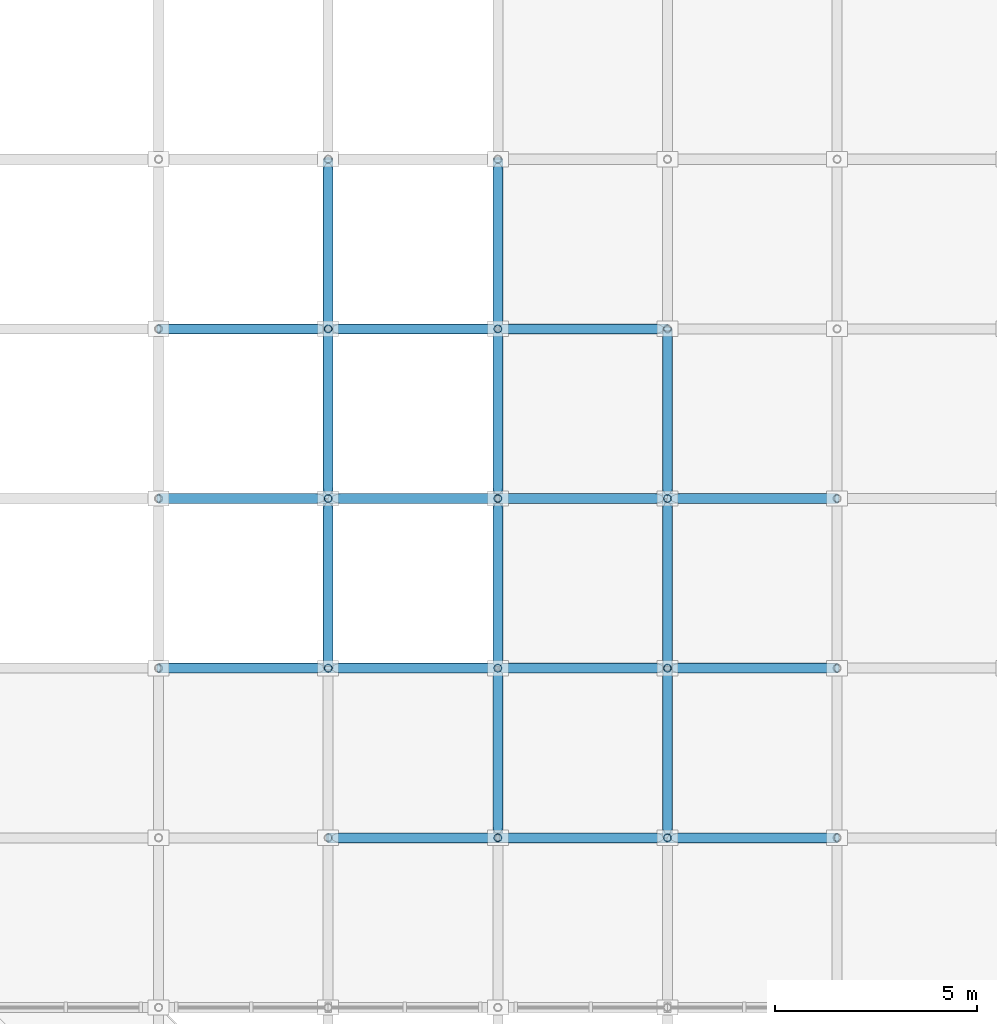
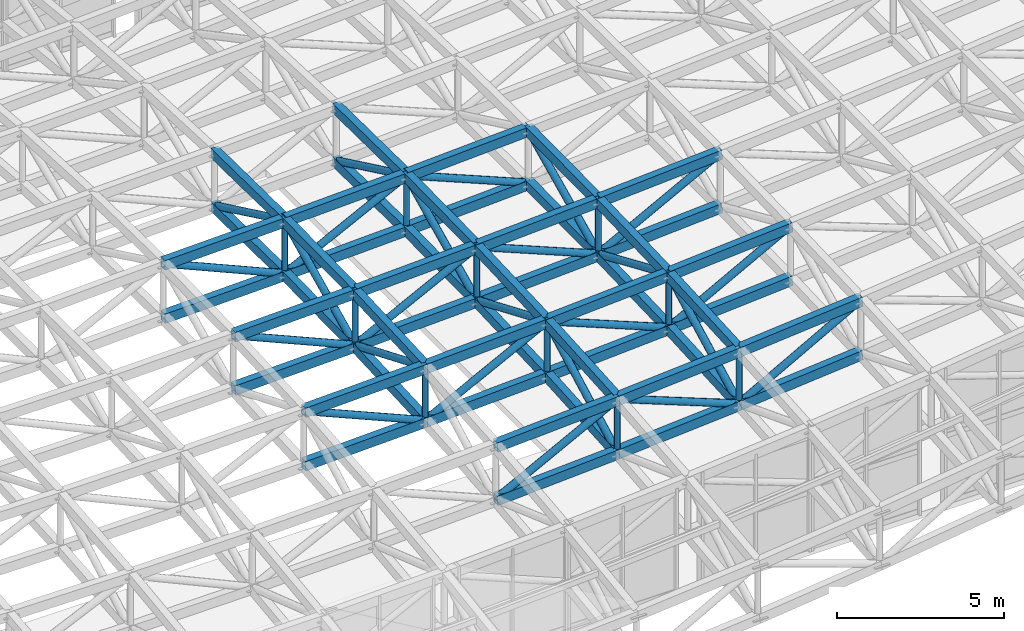
# One storey, part 44 of 111: 82 members.
"""IFC4 building model written with IfcOpenShell, lengths in metres."""

from ifc_helpers import new_model, si_unit, direction, frame, origin, origin_2d, place, context, subcontext, project, spatial, hollow_rectangle, hollow_circle, extrude, material, material_profile, profile_set, type_object, element, save


model = new_model("IFC4")

# Units and contexts
model_context = context("Model", 3, precision=1e-05, world=origin(), true_north=direction((0.0, 1.0)))
body_context = subcontext(model_context, "Body", "Model", "MODEL_VIEW")
ifc_project = project(units=[si_unit("LENGTHUNIT", "METRE"), si_unit("AREAUNIT", "SQUARE_METRE"), si_unit("VOLUMEUNIT", "CUBIC_METRE"), si_unit("PLANEANGLEUNIT", "RADIAN"), si_unit("MASSUNIT", "GRAM", prefix="KILO")], contexts=[model_context])

# Site, building, storey
site_placement = place(None, origin())
site = spatial("IfcSite", under=ifc_project, at=site_placement, CompositionType="ELEMENT")
building_placement = place(site_placement, origin())
building = spatial("IfcBuilding", under=site, at=building_placement, Name="Cumbredor Promenade Congress Hotel", CompositionType="ELEMENT")
storey_placement = place(building_placement, frame((0.0, 0.0, 15.1201171875)))
storey = spatial("IfcBuildingStorey", under=building, at=storey_placement, Name="L04", CompositionType="ELEMENT", Elevation=15.1201171875)

# Members
ifc_material = material(Name="Steel ASTM A500 Grade C", Category="steel")
ifc_material_profile_1 = material_profile(ifc_material, hollow_rectangle(XDim=0.25, YDim=0.35009765625, WallThickness=0.01611328125, at=origin_2d()), Name="HSS 350x250x16")
ifc_profile_set_1 = profile_set([ifc_material_profile_1], Name="Steel ASTM A500 Grade C")
member_type_1 = type_object("IfcMemberType", Name="Forum Roof Truss Chord", PredefinedType="CHORD", material=ifc_profile_set_1)
for number, where, z_axis, x_axis, name in (
    (1, (147.0, 88.199951171875, 4.16552734375), (0.998414117425, 0.0, 0.05629609335), (0.0, 1.0, 0.0), "Pre-Function and Breakout Meeting Forum X Top Chord 15.3"),
    (2, (147.0, 88.199951171875, 2.215576171875), (0.998414117425, 0.0, 0.05629609335), (0.0, 1.0, 0.0), "Pre-Function and Breakout Meeting Forum X Bottom Chord 15.3"),
):
    element("IfcMember", number, at=place(storey_placement, frame(where, z_axis=z_axis, x_axis=x_axis)), inside=storey, type_object=member_type_1, Name=name, PredefinedType="CHORD", context=body_context, shape_type="SweptSolid", body=[
        extrude(hollow_rectangle(XDim=0.25, YDim=0.35009765625, WallThickness=0.01611328125, at=origin_2d()), origin(), (0.0, 0.0, 1.0), 4.20654296875),
    ])
for number, where, z_axis, x_axis, name in (
    (3, (151.199951171875, 88.199951171875, 4.40234375), (0.997383099758, 0.0, 0.072297664675), (0.0, 1.0, 0.0), "Pre-Function and Breakout Meeting Forum X Top Chord 16.3"),
    (4, (151.199951171875, 88.199951171875, 2.452392578125), (0.997383099758, 0.0, 0.072297664675), (0.0, 1.0, 0.0), "Pre-Function and Breakout Meeting Forum X Bottom Chord 16.3"),
):
    element("IfcMember", number, at=place(storey_placement, frame(where, z_axis=z_axis, x_axis=x_axis)), inside=storey, type_object=member_type_1, Name=name, PredefinedType="CHORD", context=body_context, shape_type="SweptSolid", body=[
        extrude(hollow_rectangle(XDim=0.25, YDim=0.35009765625, WallThickness=0.01611328125, at=origin_2d()), origin(), (0.0, 0.0, 1.0), 4.2109375),
    ])
for number, where, z_axis, x_axis, name in (
    (5, (155.39990234375, 88.199951171875, 4.706787109375), (0.996094283967, 0.0, 0.088295965069), (0.0, 1.0, 0.0), "Pre-Function and Breakout Meeting Forum X Top Chord 17.3"),
    (6, (155.39990234375, 88.199951171875, 2.7568359375), (0.996099374617, 0.0, 0.088238517026), (0.0, 1.0, 0.0), "Pre-Function and Breakout Meeting Forum X Bottom Chord 17.3"),
):
    element("IfcMember", number, at=place(storey_placement, frame(where, z_axis=z_axis, x_axis=x_axis)), inside=storey, type_object=member_type_1, Name=name, PredefinedType="CHORD", context=body_context, shape_type="SweptSolid", body=[
        extrude(hollow_rectangle(XDim=0.25, YDim=0.35009765625, WallThickness=0.01611328125, at=origin_2d()), origin(), (0.0, 0.0, 1.0), 4.216552734375),
    ])
for number, where, z_axis, x_axis, name in (
    (7, (142.800048828125, 92.39990234375, 4.353271484375), (0.999447676196, 0.0, 0.033231649758), (0.0, 1.0, 0.0), "Pre-Function and Breakout Meeting Forum X Top Chord 14.4"),
    (8, (142.800048828125, 92.39990234375, 2.4033203125), (0.999447676196, 0.0, 0.033231649758), (0.0, 1.0, 0.0), "Pre-Function and Breakout Meeting Forum X Bottom Chord 14.4"),
):
    element("IfcMember", number, at=place(storey_placement, frame(where, z_axis=z_axis, x_axis=x_axis)), inside=storey, type_object=member_type_1, Name=name, PredefinedType="CHORD", context=body_context, shape_type="SweptSolid", body=[
        extrude(hollow_rectangle(XDim=0.25, YDim=0.35009765625, WallThickness=0.01611328125, at=origin_2d()), origin(), (0.0, 0.0, 1.0), 4.202392578125),
    ])
for number, where, z_axis, x_axis, name in (
    (9, (147.0, 92.39990234375, 4.492919921875), (0.998923154887, 0.0, 0.046395372944), (0.0, 1.0, 0.0), "Pre-Function and Breakout Meeting Forum X Top Chord 15.4"),
    (10, (147.0, 92.39990234375, 2.54296875), (0.998923154887, 0.0, 0.046395372944), (0.0, 1.0, 0.0), "Pre-Function and Breakout Meeting Forum X Bottom Chord 15.4"),
):
    element("IfcMember", number, at=place(storey_placement, frame(where, z_axis=z_axis, x_axis=x_axis)), inside=storey, type_object=member_type_1, Name=name, PredefinedType="CHORD", context=body_context, shape_type="SweptSolid", body=[
        extrude(hollow_rectangle(XDim=0.25, YDim=0.35009765625, WallThickness=0.01611328125, at=origin_2d()), origin(), (0.0, 0.0, 1.0), 4.20458984375),
    ])
for number, where, z_axis, x_axis, name in (
    (11, (151.199951171875, 92.39990234375, 4.68798828125), (0.998219316899, 0.0, 0.05965061081), (0.0, 1.0, 0.0), "Pre-Function and Breakout Meeting Forum X Top Chord 16.4"),
    (12, (151.199951171875, 92.39990234375, 2.738037109375), (0.998219316899, 0.0, 0.05965061081), (0.0, 1.0, 0.0), "Pre-Function and Breakout Meeting Forum X Bottom Chord 16.4"),
):
    element("IfcMember", number, at=place(storey_placement, frame(where, z_axis=z_axis, x_axis=x_axis)), inside=storey, type_object=member_type_1, Name=name, PredefinedType="CHORD", context=body_context, shape_type="SweptSolid", body=[
        extrude(hollow_rectangle(XDim=0.25, YDim=0.35009765625, WallThickness=0.01611328125, at=origin_2d()), origin(), (0.0, 0.0, 1.0), 4.20751953125),
    ])
for number, where, z_axis, x_axis, name in (
    (13, (155.39990234375, 92.39990234375, 4.93896484375), (0.997345647622, 0.0, 0.072812493223), (0.0, 1.0, 0.0), "Pre-Function and Breakout Meeting Forum X Top Chord 17.4"),
    (14, (155.39990234375, 92.39990234375, 2.989013671875), (0.997345647622, 0.0, 0.072812493223), (0.0, 1.0, 0.0), "Pre-Function and Breakout Meeting Forum X Bottom Chord 17.4"),
):
    element("IfcMember", number, at=place(storey_placement, frame(where, z_axis=z_axis, x_axis=x_axis)), inside=storey, type_object=member_type_1, Name=name, PredefinedType="CHORD", context=body_context, shape_type="SweptSolid", body=[
        extrude(hollow_rectangle(XDim=0.25, YDim=0.35009765625, WallThickness=0.01611328125, at=origin_2d()), origin(), (0.0, 0.0, 1.0), 4.21142578125),
    ])
for number, where, z_axis, x_axis, name in (
    (15, (142.800048828125, 96.60009765625, 4.567626953125), (0.999579574773, 0.0, 0.028994373529), (0.0, 1.0, 0.0), "Pre-Function and Breakout Meeting Forum X Top Chord 14.5"),
    (16, (142.800048828125, 96.60009765625, 2.61767578125), (0.999579574773, 0.0, 0.028994373529), (0.0, 1.0, 0.0), "Pre-Function and Breakout Meeting Forum X Bottom Chord 14.5"),
):
    element("IfcMember", number, at=place(storey_placement, frame(where, z_axis=z_axis, x_axis=x_axis)), inside=storey, type_object=member_type_1, Name=name, PredefinedType="CHORD", context=body_context, shape_type="SweptSolid", body=[
        extrude(hollow_rectangle(XDim=0.25, YDim=0.35009765625, WallThickness=0.01611328125, at=origin_2d()), origin(), (0.0, 0.0, 1.0), 4.20166015625),
    ])
for number, where, z_axis, x_axis, name in (
    (17, (147.0, 96.60009765625, 4.689453125), (0.999182576071, 0.0, 0.040424988255), (0.0, 1.0, 0.0), "Pre-Function and Breakout Meeting Forum X Top Chord 15.5"),
    (18, (147.0, 96.60009765625, 2.739501953125), (0.999182576071, 0.0, 0.040424988255), (0.0, 1.0, 0.0), "Pre-Function and Breakout Meeting Forum X Bottom Chord 15.5"),
):
    element("IfcMember", number, at=place(storey_placement, frame(where, z_axis=z_axis, x_axis=x_axis)), inside=storey, type_object=member_type_1, Name=name, PredefinedType="CHORD", context=body_context, shape_type="SweptSolid", body=[
        extrude(hollow_rectangle(XDim=0.25, YDim=0.35009765625, WallThickness=0.01611328125, at=origin_2d()), origin(), (0.0, 0.0, 1.0), 4.203369140625),
    ])
for number, where, z_axis, x_axis, name in (
    (19, (151.199951171875, 96.60009765625, 4.859375), (0.998643368037, 0.0, 0.052071330648), (0.0, 1.0, 0.0), "Pre-Function and Breakout Meeting Forum X Top Chord 16.5"),
    (20, (151.199951171875, 96.60009765625, 2.909423828125), (0.998643368037, 0.0, 0.052071330648), (0.0, 1.0, 0.0), "Pre-Function and Breakout Meeting Forum X Bottom Chord 16.5"),
):
    element("IfcMember", number, at=place(storey_placement, frame(where, z_axis=z_axis, x_axis=x_axis)), inside=storey, type_object=member_type_1, Name=name, PredefinedType="CHORD", context=body_context, shape_type="SweptSolid", body=[
        extrude(hollow_rectangle(XDim=0.25, YDim=0.35009765625, WallThickness=0.01611328125, at=origin_2d()), origin(), (0.0, 0.0, 1.0), 4.20556640625),
    ])
for number, where, z_axis, x_axis, name in (
    (21, (155.39990234375, 96.60009765625, 5.078369140625), (0.997980600233, 0.0, 0.063519458106), (0.0, 1.0, 0.0), "Pre-Function and Breakout Meeting Forum X Top Chord 17.5"),
    (22, (155.39990234375, 96.60009765625, 3.12841796875), (0.997980600233, 0.0, 0.063519458106), (0.0, 1.0, 0.0), "Pre-Function and Breakout Meeting Forum X Bottom Chord 17.5"),
):
    element("IfcMember", number, at=place(storey_placement, frame(where, z_axis=z_axis, x_axis=x_axis)), inside=storey, type_object=member_type_1, Name=name, PredefinedType="CHORD", context=body_context, shape_type="SweptSolid", body=[
        extrude(hollow_rectangle(XDim=0.25, YDim=0.35009765625, WallThickness=0.01611328125, at=origin_2d()), origin(), (0.0, 0.0, 1.0), 4.208740234375),
    ])
for number, where, z_axis, x_axis, name in (
    (23, (142.800048828125, 100.800048828125, 4.639404296875), (0.999622221053, 0.0, 0.027484817215), (0.0, 1.0, 0.0), "Pre-Function and Breakout Meeting Forum X Top Chord 14.6"),
    (24, (142.800048828125, 100.800048828125, 2.689208984375), (0.9996206229, 0.0, 0.027542880617), (0.0, 1.0, 0.0), "Pre-Function and Breakout Meeting Forum X Bottom Chord 14.6"),
):
    element("IfcMember", number, at=place(storey_placement, frame(where, z_axis=z_axis, x_axis=x_axis)), inside=storey, type_object=member_type_1, Name=name, PredefinedType="CHORD", context=body_context, shape_type="SweptSolid", body=[
        extrude(hollow_rectangle(XDim=0.25, YDim=0.35009765625, WallThickness=0.01611328125, at=origin_2d()), origin(), (0.0, 0.0, 1.0), 4.20166015625),
    ])
for number, where, z_axis, x_axis, name in (
    (25, (147.0, 100.800048828125, 4.7548828125), (0.999258168598, 0.0, 0.038511199545), (0.0, 1.0, 0.0), "Pre-Function and Breakout Meeting Forum X Top Chord 15.6"),
    (26, (147.0, 100.800048828125, 2.804931640625), (0.999258168598, 0.0, 0.038511199545), (0.0, 1.0, 0.0), "Pre-Function and Breakout Meeting Forum X Bottom Chord 15.6"),
):
    element("IfcMember", number, at=place(storey_placement, frame(where, z_axis=z_axis, x_axis=x_axis)), inside=storey, type_object=member_type_1, Name=name, PredefinedType="CHORD", context=body_context, shape_type="SweptSolid", body=[
        extrude(hollow_rectangle(XDim=0.25, YDim=0.35009765625, WallThickness=0.01611328125, at=origin_2d()), origin(), (0.0, 0.0, 1.0), 4.203125),
    ])
for number, where, z_axis, x_axis, name in (
    (27, (151.199951171875, 100.800048828125, 4.916748046875), (0.998772957039, 0.0, 0.04952353266), (0.0, 1.0, 0.0), "Pre-Function and Breakout Meeting Forum X Top Chord 16.6"),
    (28, (151.199951171875, 100.800048828125, 2.966796875), (0.998775827081, 0.0, 0.049465616734), (0.0, 1.0, 0.0), "Pre-Function and Breakout Meeting Forum X Bottom Chord 16.6"),
):
    element("IfcMember", number, at=place(storey_placement, frame(where, z_axis=z_axis, x_axis=x_axis)), inside=storey, type_object=member_type_1, Name=name, PredefinedType="CHORD", context=body_context, shape_type="SweptSolid", body=[
        extrude(hollow_rectangle(XDim=0.25, YDim=0.35009765625, WallThickness=0.01611328125, at=origin_2d()), origin(), (0.0, 0.0, 1.0), 4.205078125),
    ])
for number, where, z_axis, x_axis, name in (
    (29, (147.0, 92.39990234375, 4.492919921875), (0.0, 0.998907074734, 0.046740304299), (-1.0, 0.0, 0.0), "Pre-Function and Breakout Meeting Forum Y Top Chord 15.4"),
    (30, (147.0, 92.39990234375, 2.54296875), (0.0, 0.998907074734, 0.046740304299), (-1.0, 0.0, 0.0), "Pre-Function and Breakout Meeting Forum Y Bottom Chord 15.4"),
):
    element("IfcMember", number, at=place(storey_placement, frame(where, z_axis=z_axis, x_axis=x_axis)), inside=storey, type_object=member_type_1, Name=name, PredefinedType="CHORD", context=body_context, shape_type="SweptSolid", body=[
        extrude(hollow_rectangle(XDim=0.25, YDim=0.35009765625, WallThickness=0.01611328125, at=origin_2d()), origin(), (0.0, 0.0, 1.0), 4.204833984375),
    ])
for number, where, z_axis, x_axis, name in (
    (31, (147.0, 96.60009765625, 4.689453125), (0.0, 0.999878674477, 0.015576788046), (-1.0, 0.0, 0.0), "Pre-Function and Breakout Meeting Forum Y Top Chord 15.5"),
    (32, (147.0, 96.60009765625, 2.739501953125), (0.0, 0.999878674477, 0.015576788046), (-1.0, 0.0, 0.0), "Pre-Function and Breakout Meeting Forum Y Bottom Chord 15.5"),
    (33, (147.0, 100.800048828125, 4.7548828125), (0.0, 0.999878674477, -0.015576788046), (-1.0, 0.0, 0.0), "Pre-Function and Breakout Meeting Forum Y Top Chord 15.6"),
    (34, (147.0, 100.800048828125, 2.804931640625), (0.0, 0.999878674477, -0.015576788046), (-1.0, 0.0, 0.0), "Pre-Function and Breakout Meeting Forum Y Bottom Chord 15.6"),
):
    element("IfcMember", number, at=place(storey_placement, frame(where, z_axis=z_axis, x_axis=x_axis)), inside=storey, type_object=member_type_1, Name=name, PredefinedType="CHORD", context=body_context, shape_type="SweptSolid", body=[
        extrude(hollow_rectangle(XDim=0.25, YDim=0.35009765625, WallThickness=0.01611328125, at=origin_2d()), origin(), (0.0, 0.0, 1.0), 4.200439453125),
    ])
for number, where, z_axis, x_axis, name in (
    (35, (151.199951171875, 88.199951171875, 4.40234375), (0.0, 0.997695217775, 0.067854641911), (-1.0, 0.0, 0.0), "Pre-Function and Breakout Meeting Forum Y Top Chord 16.3"),
    (36, (151.199951171875, 88.199951171875, 2.452392578125), (0.0, 0.997695217775, 0.067854641911), (-1.0, 0.0, 0.0), "Pre-Function and Breakout Meeting Forum Y Bottom Chord 16.3"),
):
    element("IfcMember", number, at=place(storey_placement, frame(where, z_axis=z_axis, x_axis=x_axis)), inside=storey, type_object=member_type_1, Name=name, PredefinedType="CHORD", context=body_context, shape_type="SweptSolid", body=[
        extrude(hollow_rectangle(XDim=0.25, YDim=0.35009765625, WallThickness=0.01611328125, at=origin_2d()), origin(), (0.0, 0.0, 1.0), 4.209716796875),
    ])
for number, where, z_axis, x_axis, name in (
    (37, (151.199951171875, 92.39990234375, 4.68798828125), (0.0, 0.999168536005, 0.040770536635), (-1.0, 0.0, 0.0), "Pre-Function and Breakout Meeting Forum Y Top Chord 16.4"),
    (38, (151.199951171875, 92.39990234375, 2.738037109375), (0.0, 0.999168536005, 0.040770536635), (-1.0, 0.0, 0.0), "Pre-Function and Breakout Meeting Forum Y Bottom Chord 16.4"),
):
    element("IfcMember", number, at=place(storey_placement, frame(where, z_axis=z_axis, x_axis=x_axis)), inside=storey, type_object=member_type_1, Name=name, PredefinedType="CHORD", context=body_context, shape_type="SweptSolid", body=[
        extrude(hollow_rectangle(XDim=0.25, YDim=0.35009765625, WallThickness=0.01611328125, at=origin_2d()), origin(), (0.0, 0.0, 1.0), 4.20361328125),
    ])
for number, where, z_axis, x_axis, name in (
    (39, (151.199951171875, 96.60009765625, 4.859375), (0.0, 0.999906709682, 0.013659133685), (-1.0, 0.0, 0.0), "Pre-Function and Breakout Meeting Forum Y Top Chord 16.5"),
    (40, (151.199951171875, 96.60009765625, 2.909423828125), (0.0, 0.999906709682, 0.013659133685), (-1.0, 0.0, 0.0), "Pre-Function and Breakout Meeting Forum Y Bottom Chord 16.5"),
    (41, (151.199951171875, 100.800048828125, 4.916748046875), (0.0, 0.999906709682, -0.013659133685), (-1.0, 0.0, 0.0), "Pre-Function and Breakout Meeting Forum Y Top Chord 16.6"),
    (42, (151.199951171875, 100.800048828125, 2.966796875), (0.0, 0.999906709682, -0.013659133685), (-1.0, 0.0, 0.0), "Pre-Function and Breakout Meeting Forum Y Bottom Chord 16.6"),
):
    element("IfcMember", number, at=place(storey_placement, frame(where, z_axis=z_axis, x_axis=x_axis)), inside=storey, type_object=member_type_1, Name=name, PredefinedType="CHORD", context=body_context, shape_type="SweptSolid", body=[
        extrude(hollow_rectangle(XDim=0.25, YDim=0.35009765625, WallThickness=0.01611328125, at=origin_2d()), origin(), (0.0, 0.0, 1.0), 4.200439453125),
    ])
for number, where, z_axis, x_axis, name in (
    (43, (155.39990234375, 88.199951171875, 4.706787109375), (0.0, 0.998475495714, 0.055196779424), (-1.0, 0.0, 0.0), "Pre-Function and Breakout Meeting Forum Y Top Chord 17.3"),
    (44, (155.39990234375, 88.199951171875, 2.7568359375), (0.0, 0.998475495714, 0.055196779424), (-1.0, 0.0, 0.0), "Pre-Function and Breakout Meeting Forum Y Bottom Chord 17.3"),
):
    element("IfcMember", number, at=place(storey_placement, frame(where, z_axis=z_axis, x_axis=x_axis)), inside=storey, type_object=member_type_1, Name=name, PredefinedType="CHORD", context=body_context, shape_type="SweptSolid", body=[
        extrude(hollow_rectangle(XDim=0.25, YDim=0.35009765625, WallThickness=0.01611328125, at=origin_2d()), origin(), (0.0, 0.0, 1.0), 4.206298828125),
    ])
for number, where, z_axis, x_axis, name in (
    (45, (155.39990234375, 92.39990234375, 4.93896484375), (0.0, 0.999449668048, 0.033171690331), (-1.0, 0.0, 0.0), "Pre-Function and Breakout Meeting Forum Y Top Chord 17.4"),
    (46, (155.39990234375, 92.39990234375, 2.989013671875), (0.0, 0.999449668048, 0.033171690331), (-1.0, 0.0, 0.0), "Pre-Function and Breakout Meeting Forum Y Bottom Chord 17.4"),
):
    element("IfcMember", number, at=place(storey_placement, frame(where, z_axis=z_axis, x_axis=x_axis)), inside=storey, type_object=member_type_1, Name=name, PredefinedType="CHORD", context=body_context, shape_type="SweptSolid", body=[
        extrude(hollow_rectangle(XDim=0.25, YDim=0.35009765625, WallThickness=0.01611328125, at=origin_2d()), origin(), (0.0, 0.0, 1.0), 4.202392578125),
    ])
for number, where, z_axis, x_axis, name in (
    (47, (155.39990234375, 96.60009765625, 5.078369140625), (0.0, 0.999938370562, 0.011102030389), (-1.0, 0.0, 0.0), "Pre-Function and Breakout Meeting Forum Y Top Chord 17.5"),
    (48, (155.39990234375, 96.60009765625, 3.12841796875), (0.0, 0.999939014148, 0.011043911683), (-1.0, 0.0, 0.0), "Pre-Function and Breakout Meeting Forum Y Bottom Chord 17.5"),
):
    element("IfcMember", number, at=place(storey_placement, frame(where, z_axis=z_axis, x_axis=x_axis)), inside=storey, type_object=member_type_1, Name=name, PredefinedType="CHORD", context=body_context, shape_type="SweptSolid", body=[
        extrude(hollow_rectangle(XDim=0.25, YDim=0.35009765625, WallThickness=0.01611328125, at=origin_2d()), origin(), (0.0, 0.0, 1.0), 4.2001953125),
    ])
ifc_material_profile_2 = material_profile(ifc_material, hollow_circle(Radius=0.122314453125, WallThickness=0.012451171875, at=origin_2d()), Name="CHS 244.5x12.5")
ifc_profile_set_2 = profile_set([ifc_material_profile_2], Name="Steel ASTM A500 Grade C")
member_type_2 = type_object("IfcMemberType", Name="Space Frame Web Diagonal D2", PredefinedType="BRACE", material=ifc_profile_set_2)
member_1_placement = place(storey_placement, frame((147.0, 88.199951171875, 2.215576171875), z_axis=(0.886975246992, 0.0, 0.461816967233), x_axis=(0.0, 1.0, 0.0)))
element("IfcMember", 49, at=member_1_placement, inside=storey, type_object=member_type_2, Name="Pre-Function and Breakout Meeting Forum X Web Diagonal 15.3", PredefinedType="BRACE", context=body_context, shape_type="SweptSolid", body=[
    extrude(hollow_circle(Radius=0.122314453125, WallThickness=0.012451171875, at=origin_2d()), origin(), (0.0, 0.0, 1.0), 4.735107421875),
])
member_2_placement = place(storey_placement, frame((151.199951171875, 88.199951171875, 4.40234375), z_axis=(0.931088577199, 0.0, -0.364793176209), x_axis=(0.0, 1.0, 0.0)))
element("IfcMember", 50, at=member_2_placement, inside=storey, type_object=member_type_2, Name="Pre-Function and Breakout Meeting Forum X Web Diagonal 16.3", PredefinedType="BRACE", context=body_context, shape_type="SweptSolid", body=[
    extrude(hollow_circle(Radius=0.122314453125, WallThickness=0.012451171875, at=origin_2d()), origin(), (0.0, 0.0, 1.0), 4.5107421875),
])
member_3_placement = place(storey_placement, frame((155.39990234375, 88.199951171875, 2.7568359375), z_axis=(0.875144044182, 0.0, 0.483862482461), x_axis=(0.0, 1.0, 0.0)))
element("IfcMember", 51, at=member_3_placement, inside=storey, type_object=member_type_2, Name="Pre-Function and Breakout Meeting Forum X Web Diagonal 17.3", PredefinedType="BRACE", context=body_context, shape_type="SweptSolid", body=[
    extrude(hollow_circle(Radius=0.122314453125, WallThickness=0.012451171875, at=origin_2d()), origin(), (0.0, 0.0, 1.0), 4.79931640625),
])
member_4_placement = place(storey_placement, frame((142.800048828125, 92.39990234375, 4.353271484375), z_axis=(0.918325759137, 0.0, -0.395825466721), x_axis=(0.0, 1.0, 0.0)))
element("IfcMember", 52, at=member_4_placement, inside=storey, type_object=member_type_2, Name="Pre-Function and Breakout Meeting Forum X Web Diagonal 14.4", PredefinedType="BRACE", context=body_context, shape_type="SweptSolid", body=[
    extrude(hollow_circle(Radius=0.122314453125, WallThickness=0.012451171875, at=origin_2d()), origin(), (0.0, 0.0, 1.0), 4.573486328125),
])
member_5_placement = place(storey_placement, frame((147.0, 92.39990234375, 2.54296875), z_axis=(0.890574034395, 0.0, 0.45483831112), x_axis=(0.0, 1.0, 0.0)))
element("IfcMember", 53, at=member_5_placement, inside=storey, type_object=member_type_2, Name="Pre-Function and Breakout Meeting Forum X Web Diagonal 15.4", PredefinedType="BRACE", context=body_context, shape_type="SweptSolid", body=[
    extrude(hollow_circle(Radius=0.122314453125, WallThickness=0.012451171875, at=origin_2d()), origin(), (0.0, 0.0, 1.0), 4.716064453125),
])
member_6_placement = place(storey_placement, frame((151.199951171875, 92.39990234375, 4.68798828125), z_axis=(0.927023989258, 0.0, -0.375002031114), x_axis=(0.0, 1.0, 0.0)))
element("IfcMember", 54, at=member_6_placement, inside=storey, type_object=member_type_2, Name="Pre-Function and Breakout Meeting Forum X Web Diagonal 16.4", PredefinedType="BRACE", context=body_context, shape_type="SweptSolid", body=[
    extrude(hollow_circle(Radius=0.122314453125, WallThickness=0.012451171875, at=origin_2d()), origin(), (0.0, 0.0, 1.0), 4.530517578125),
])
member_7_placement = place(storey_placement, frame((155.39990234375, 92.39990234375, 2.989013671875), z_axis=(0.880912996908, 0.0, 0.473278239388), x_axis=(0.0, 1.0, 0.0)))
element("IfcMember", 55, at=member_7_placement, inside=storey, type_object=member_type_2, Name="Pre-Function and Breakout Meeting Forum X Web Diagonal 17.4", PredefinedType="BRACE", context=body_context, shape_type="SweptSolid", body=[
    extrude(hollow_circle(Radius=0.122314453125, WallThickness=0.012451171875, at=origin_2d()), origin(), (0.0, 0.0, 1.0), 4.76806640625),
])
member_8_placement = place(storey_placement, frame((142.800048828125, 96.60009765625, 4.567626953125), z_axis=(0.916905589781, 0.0, -0.399104171149), x_axis=(0.0, 1.0, 0.0)))
element("IfcMember", 56, at=member_8_placement, inside=storey, type_object=member_type_2, Name="Pre-Function and Breakout Meeting Forum X Web Diagonal 14.5", PredefinedType="BRACE", context=body_context, shape_type="SweptSolid", body=[
    extrude(hollow_circle(Radius=0.122314453125, WallThickness=0.012451171875, at=origin_2d()), origin(), (0.0, 0.0, 1.0), 4.58056640625),
])
member_9_placement = place(storey_placement, frame((147.0, 96.60009765625, 2.739501953125), z_axis=(0.892729053499, 0.0, 0.450593871507), x_axis=(0.0, 1.0, 0.0)))
element("IfcMember", 57, at=member_9_placement, inside=storey, type_object=member_type_2, Name="Pre-Function and Breakout Meeting Forum X Web Diagonal 15.5", PredefinedType="BRACE", context=body_context, shape_type="SweptSolid", body=[
    extrude(hollow_circle(Radius=0.122314453125, WallThickness=0.012451171875, at=origin_2d()), origin(), (0.0, 0.0, 1.0), 4.70458984375),
])
member_10_placement = place(storey_placement, frame((151.199951171875, 96.60009765625, 4.859375), z_axis=(0.924556730189, 0.0, -0.381044423475), x_axis=(0.0, 1.0, 0.0)))
element("IfcMember", 58, at=member_10_placement, inside=storey, type_object=member_type_2, Name="Pre-Function and Breakout Meeting Forum X Web Diagonal 16.5", PredefinedType="BRACE", context=body_context, shape_type="SweptSolid", body=[
    extrude(hollow_circle(Radius=0.122314453125, WallThickness=0.012451171875, at=origin_2d()), origin(), (0.0, 0.0, 1.0), 4.542724609375),
])
member_11_placement = place(storey_placement, frame((155.39990234375, 96.60009765625, 3.12841796875), z_axis=(0.884339953263, 0.0, 0.466843493114), x_axis=(0.0, 1.0, 0.0)))
element("IfcMember", 59, at=member_11_placement, inside=storey, type_object=member_type_2, Name="Pre-Function and Breakout Meeting Forum X Web Diagonal 17.5", PredefinedType="BRACE", context=body_context, shape_type="SweptSolid", body=[
    extrude(hollow_circle(Radius=0.122314453125, WallThickness=0.012451171875, at=origin_2d()), origin(), (0.0, 0.0, 1.0), 4.74951171875),
])
member_12_placement = place(storey_placement, frame((142.800048828125, 100.800048828125, 4.639404296875), z_axis=(0.916398018243, 0.0, -0.400268250252), x_axis=(0.0, 1.0, 0.0)))
element("IfcMember", 60, at=member_12_placement, inside=storey, type_object=member_type_2, Name="Pre-Function and Breakout Meeting Forum X Web Diagonal 14.6", PredefinedType="BRACE", context=body_context, shape_type="SweptSolid", body=[
    extrude(hollow_circle(Radius=0.122314453125, WallThickness=0.012451171875, at=origin_2d()), origin(), (0.0, 0.0, 1.0), 4.5830078125),
])
member_13_placement = place(storey_placement, frame((147.0, 100.800048828125, 2.804931640625), z_axis=(0.893417405195, 0.0, 0.449227492585), x_axis=(0.0, 1.0, 0.0)))
element("IfcMember", 61, at=member_13_placement, inside=storey, type_object=member_type_2, Name="Pre-Function and Breakout Meeting Forum X Web Diagonal 15.6", PredefinedType="BRACE", context=body_context, shape_type="SweptSolid", body=[
    extrude(hollow_circle(Radius=0.122314453125, WallThickness=0.012451171875, at=origin_2d()), origin(), (0.0, 0.0, 1.0), 4.700927734375),
])
member_14_placement = place(storey_placement, frame((151.199951171875, 100.800048828125, 4.916748046875), z_axis=(0.923703187243, 0.0, -0.383108890367), x_axis=(0.0, 1.0, 0.0)))
element("IfcMember", 62, at=member_14_placement, inside=storey, type_object=member_type_2, Name="Pre-Function and Breakout Meeting Forum X Web Diagonal 16.6", PredefinedType="BRACE", context=body_context, shape_type="SweptSolid", body=[
    extrude(hollow_circle(Radius=0.122314453125, WallThickness=0.012451171875, at=origin_2d()), origin(), (0.0, 0.0, 1.0), 4.546875),
])
member_15_placement = place(storey_placement, frame((147.0, 92.39990234375, 4.492919921875), z_axis=(0.0, 0.922816448372, -0.385239928633), x_axis=(-1.0, 0.0, 0.0)))
element("IfcMember", 63, at=member_15_placement, inside=storey, type_object=member_type_2, Name="Pre-Function and Breakout Meeting Forum Y Web Diagonal 15.4", PredefinedType="BRACE", context=body_context, shape_type="SweptSolid", body=[
    extrude(hollow_circle(Radius=0.122314453125, WallThickness=0.012451171875, at=origin_2d()), origin(), (0.0, 0.0, 1.0), 4.551513671875),
])
for number, where, z_axis, x_axis, name in (
    (64, (147.0, 96.60009765625, 2.739501953125), (0.0, 0.901572937792, 0.432627134888), (-1.0, 0.0, 0.0), "Pre-Function and Breakout Meeting Forum Y Web Diagonal 15.5"),
    (65, (147.0, 100.800048828125, 4.7548828125), (0.0, 0.901572937792, -0.432627134888), (-1.0, 0.0, 0.0), "Pre-Function and Breakout Meeting Forum Y Web Diagonal 15.6"),
):
    element("IfcMember", number, at=place(storey_placement, frame(where, z_axis=z_axis, x_axis=x_axis)), inside=storey, type_object=member_type_2, Name=name, PredefinedType="BRACE", context=body_context, shape_type="SweptSolid", body=[
        extrude(hollow_circle(Radius=0.122314453125, WallThickness=0.012451171875, at=origin_2d()), origin(), (0.0, 0.0, 1.0), 4.658447265625),
    ])
member_16_placement = place(storey_placement, frame((151.199951171875, 88.199951171875, 2.452392578125), z_axis=(0.0, 0.882734744534, 0.469871653531), x_axis=(-1.0, 0.0, 0.0)))
element("IfcMember", 66, at=member_16_placement, inside=storey, type_object=member_type_2, Name="Pre-Function and Breakout Meeting Forum Y Web Diagonal 16.3", PredefinedType="BRACE", context=body_context, shape_type="SweptSolid", body=[
    extrude(hollow_circle(Radius=0.122314453125, WallThickness=0.012451171875, at=origin_2d()), origin(), (0.0, 0.0, 1.0), 4.7578125),
])
member_17_placement = place(storey_placement, frame((151.199951171875, 92.39990234375, 4.68798828125), z_axis=(0.0, 0.920844574715, -0.389929826017), x_axis=(-1.0, 0.0, 0.0)))
element("IfcMember", 67, at=member_17_placement, inside=storey, type_object=member_type_2, Name="Pre-Function and Breakout Meeting Forum Y Web Diagonal 16.4", PredefinedType="BRACE", context=body_context, shape_type="SweptSolid", body=[
    extrude(hollow_circle(Radius=0.122314453125, WallThickness=0.012451171875, at=origin_2d()), origin(), (0.0, 0.0, 1.0), 4.561279296875),
])
for number, where, z_axis, x_axis, name in (
    (68, (151.199951171875, 96.60009765625, 2.909423828125), (0.0, 0.9022469117, 0.431219793524), (-1.0, 0.0, 0.0), "Pre-Function and Breakout Meeting Forum Y Web Diagonal 16.5"),
    (69, (151.199951171875, 100.800048828125, 4.916748046875), (0.0, 0.9022469117, -0.431219793524), (-1.0, 0.0, 0.0), "Pre-Function and Breakout Meeting Forum Y Web Diagonal 16.6"),
):
    element("IfcMember", number, at=place(storey_placement, frame(where, z_axis=z_axis, x_axis=x_axis)), inside=storey, type_object=member_type_2, Name=name, PredefinedType="BRACE", context=body_context, shape_type="SweptSolid", body=[
        extrude(hollow_circle(Radius=0.122314453125, WallThickness=0.012451171875, at=origin_2d()), origin(), (0.0, 0.0, 1.0), 4.655029296875),
    ])
member_18_placement = place(storey_placement, frame((155.39990234375, 88.199951171875, 2.7568359375), z_axis=(0.0, 0.887376368507, 0.461045746772), x_axis=(-1.0, 0.0, 0.0)))
element("IfcMember", 70, at=member_18_placement, inside=storey, type_object=member_type_2, Name="Pre-Function and Breakout Meeting Forum Y Web Diagonal 17.3", PredefinedType="BRACE", context=body_context, shape_type="SweptSolid", body=[
    extrude(hollow_circle(Radius=0.122314453125, WallThickness=0.012451171875, at=origin_2d()), origin(), (0.0, 0.0, 1.0), 4.73291015625),
])
member_19_placement = place(storey_placement, frame((155.39990234375, 92.39990234375, 4.93896484375), z_axis=(0.0, 0.918314719204, -0.395851078681), x_axis=(-1.0, 0.0, 0.0)))
element("IfcMember", 71, at=member_19_placement, inside=storey, type_object=member_type_2, Name="Pre-Function and Breakout Meeting Forum Y Web Diagonal 17.4", PredefinedType="BRACE", context=body_context, shape_type="SweptSolid", body=[
    extrude(hollow_circle(Radius=0.122314453125, WallThickness=0.012451171875, at=origin_2d()), origin(), (0.0, 0.0, 1.0), 4.57373046875),
])
member_20_placement = place(storey_placement, frame((155.39990234375, 96.60009765625, 3.12841796875), z_axis=(0.0, 0.903143682535, 0.429338431423), x_axis=(-1.0, 0.0, 0.0)))
element("IfcMember", 72, at=member_20_placement, inside=storey, type_object=member_type_2, Name="Pre-Function and Breakout Meeting Forum Y Web Diagonal 17.5", PredefinedType="BRACE", context=body_context, shape_type="SweptSolid", body=[
    extrude(hollow_circle(Radius=0.122314453125, WallThickness=0.012451171875, at=origin_2d()), origin(), (0.0, 0.0, 1.0), 4.650390625),
])
ifc_material_profile_3 = material_profile(ifc_material, hollow_circle(Radius=0.096923828125, WallThickness=0.010009765625, at=origin_2d()), Name="CHS 193.7x10")
ifc_profile_set_3 = profile_set([ifc_material_profile_3], Name="Steel ASTM A500 Grade C")
member_type_3 = type_object("IfcMemberType", Name="Space Frame Web Post P1", PredefinedType="BRACE", material=ifc_profile_set_3)
for number, where, z_axis, x_axis, name in (
    (73, (147.0, 92.39990234375, 2.54296875), (0.0, 0.0, 1.0), (1.0, 0.0, 0.0), "Pre-Function and Breakout Meeting Forum Space Frame Web Post 15.4"),
    (74, (147.0, 96.60009765625, 2.739501953125), (0.0, 0.0, 1.0), (1.0, 0.0, 0.0), "Pre-Function and Breakout Meeting Forum Space Frame Web Post 15.5"),
    (75, (147.0, 100.800048828125, 2.804931640625), (0.0, 0.0, 1.0), (1.0, 0.0, 0.0), "Pre-Function and Breakout Meeting Forum Space Frame Web Post 15.6"),
    (76, (151.199951171875, 88.199951171875, 2.452392578125), (0.0, 0.0, 1.0), (1.0, 0.0, 0.0), "Pre-Function and Breakout Meeting Forum Space Frame Web Post 16.3"),
    (77, (151.199951171875, 92.39990234375, 2.738037109375), (0.0, 0.0, 1.0), (1.0, 0.0, 0.0), "Pre-Function and Breakout Meeting Forum Space Frame Web Post 16.4"),
    (78, (151.199951171875, 96.60009765625, 2.909423828125), (0.0, 0.0, 1.0), (1.0, 0.0, 0.0), "Pre-Function and Breakout Meeting Forum Space Frame Web Post 16.5"),
    (79, (151.199951171875, 100.800048828125, 2.966796875), (0.0, 0.0, 1.0), (1.0, 0.0, 0.0), "Pre-Function and Breakout Meeting Forum Space Frame Web Post 16.6"),
    (80, (155.39990234375, 88.199951171875, 2.7568359375), (0.0, 0.0, 1.0), (1.0, 0.0, 0.0), "Pre-Function and Breakout Meeting Forum Space Frame Web Post 17.3"),
    (81, (155.39990234375, 92.39990234375, 2.989013671875), (0.0, 0.0, 1.0), (1.0, 0.0, 0.0), "Pre-Function and Breakout Meeting Forum Space Frame Web Post 17.4"),
    (82, (155.39990234375, 96.60009765625, 3.12841796875), (0.0, 0.0, 1.0), (1.0, 0.0, 0.0), "Pre-Function and Breakout Meeting Forum Space Frame Web Post 17.5"),
):
    element("IfcMember", number, at=place(storey_placement, frame(where, z_axis=z_axis, x_axis=x_axis)), inside=storey, type_object=member_type_3, Name=name, PredefinedType="BRACE", context=body_context, shape_type="SweptSolid", body=[
        extrude(hollow_circle(Radius=0.096923828125, WallThickness=0.010009765625, at=origin_2d()), origin(), (0.0, 0.0, 1.0), 1.949951171875),
    ])

save(model, "model.ifc")
